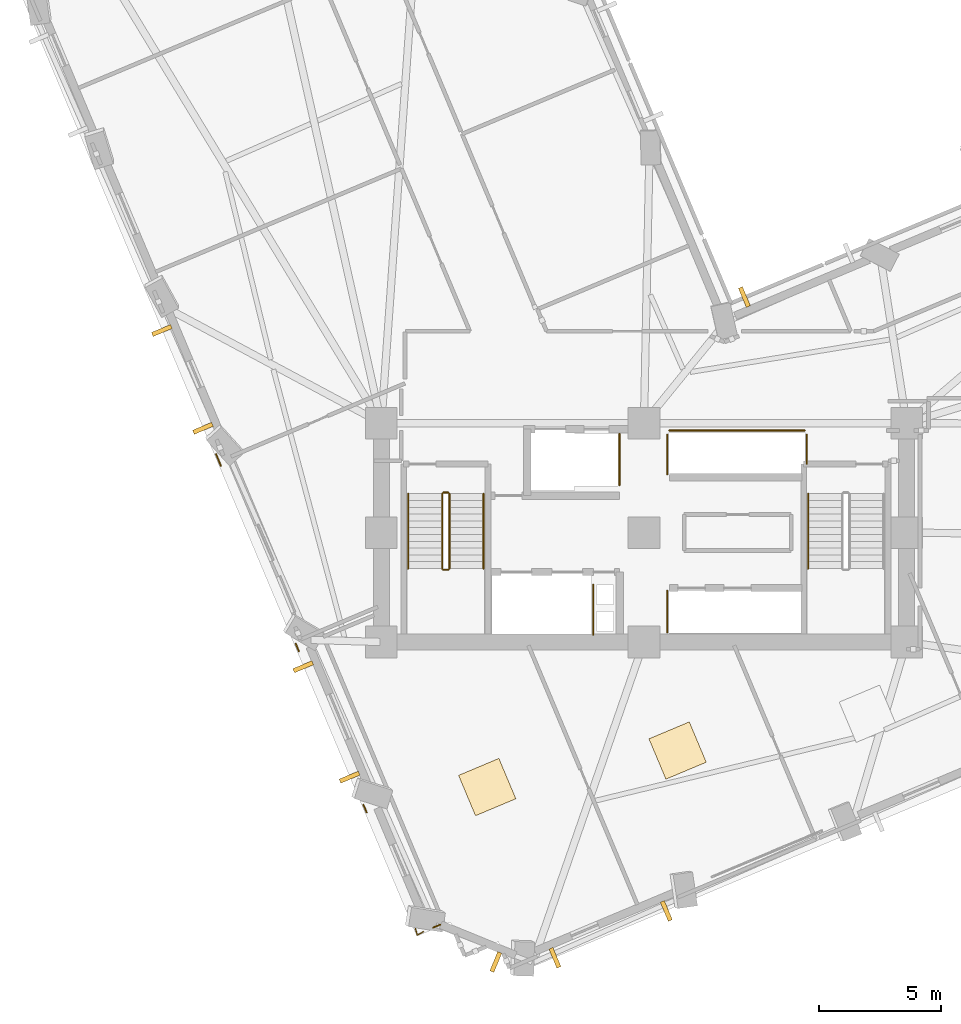
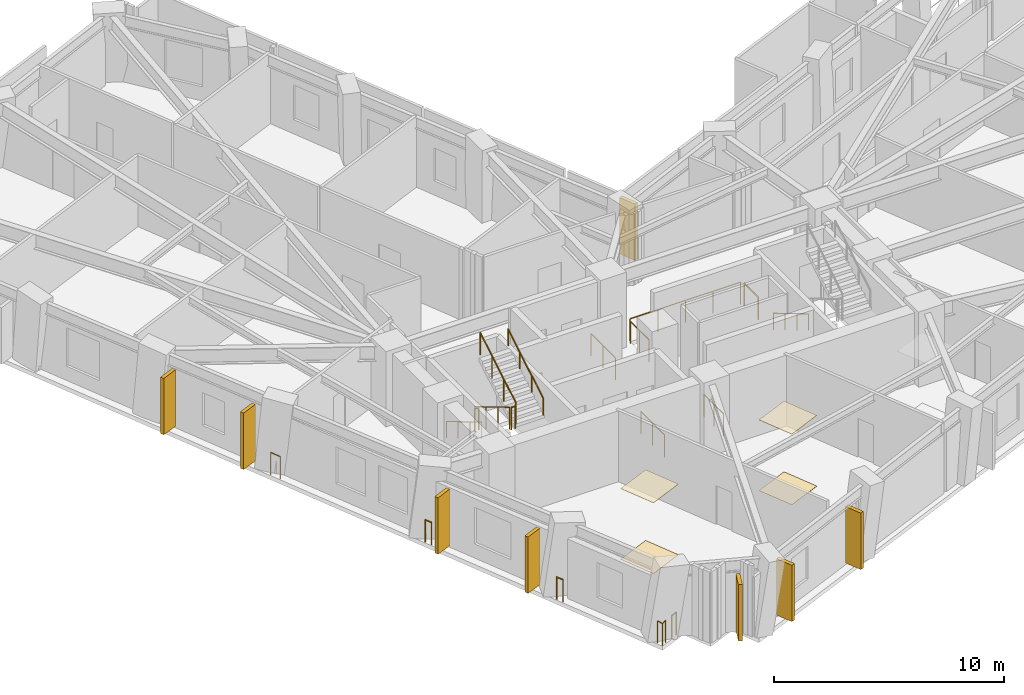
# One storey, part 15 of 18: 18 railings, 8 shading devices, 4 coverings.
"""IFC4 building model written with IfcOpenShell, lengths in metres."""

from ifc_helpers import new_model, si_unit, direction, frame, origin, origin_2d, place, context, subcontext, project, spatial, rectangle, circle, extrude, material, layer, layer_set, type_object, element, save


model = new_model("IFC4")

# Units and contexts
model_context = context("Model", 3, precision=1e-05, world=origin(), true_north=direction((0.0, 1.0)))
body_context = subcontext(model_context, "Body", "Model", "MODEL_VIEW")
ifc_project = project(units=[si_unit("LENGTHUNIT", "METRE"), si_unit("AREAUNIT", "SQUARE_METRE"), si_unit("VOLUMEUNIT", "CUBIC_METRE"), si_unit("PLANEANGLEUNIT", "RADIAN"), si_unit("MASSUNIT", "GRAM", prefix="KILO")], contexts=[model_context])

# Site, building, storey
site_placement = place(None, origin())
site = spatial("IfcSite", under=ifc_project, at=site_placement, CompositionType="ELEMENT")
building_placement = place(site_placement, origin())
building = spatial("IfcBuilding", under=site, at=building_placement, Name="Gaonmaruhae Medical Tower", CompositionType="ELEMENT")
storey_placement = place(building_placement, frame((0.0, 0.0, 120.39990234375)))
storey = spatial("IfcBuildingStorey", under=building, at=storey_placement, Name="L28", CompositionType="ELEMENT", Elevation=120.39990234375)

# Coverings
ifc_material_1 = material(Name="Acoustic mineral ceiling tile", Category="finish")
ifc_layer_1 = layer(ifc_material_1, 0.02490234375)
ifc_layer_set_1 = layer_set([ifc_layer_1], Name="Acoustic mineral ceiling tile")
covering_type_1 = type_object("IfcCoveringType", Name="CLG-01 Antimicrobial Acoustic Mineral Ceiling", PredefinedType="CEILING", material=ifc_layer_set_1)
for number, where, z_axis, x_axis, name in (
    (1, (18.353515625, 1.833251953125, 3.755126953125), (0.0, 0.0, 1.0), (0.921863151589, 0.387515586452, 0.0), "L28 Clinical Room Acoustic Ceiling 2"),
    (2, (26.18310546875, 3.3359375, 3.755126953125), (0.0, 0.0, 1.0), (0.921863151589, 0.387515586452, 0.0), "L28 Clinical Room Acoustic Ceiling 3"),
):
    element("IfcCovering", number, at=place(storey_placement, frame(where, z_axis=z_axis, x_axis=x_axis)), inside=storey, type_object=covering_type_1, Name=name, PredefinedType="CEILING", context=body_context, shape_type="SweptSolid", body=[
        extrude(rectangle(XDim=1.800048828125, YDim=1.800048828125, at=origin_2d()), origin(), (0.0, 0.0, 1.0), 0.02490234375),
    ])
ifc_material_2 = material(Name="Seamless clinical vinyl flooring", Category="finish")
ifc_layer_2 = layer(ifc_material_2, 0.014892578125)
ifc_layer_set_2 = layer_set([ifc_layer_2], Name="Seamless clinical vinyl flooring")
covering_type_2 = type_object("IfcCoveringType", Name="FLR-01 Seamless Clinical Antistatic Vinyl Flooring", PredefinedType="FLOORING", material=ifc_layer_set_2)
for number, where, z_axis, x_axis, name in (
    (3, (18.353515625, 1.833251953125, 0.0), (0.0, 0.0, 1.0), (0.921863151589, 0.387515586452, 0.0), "L28 Clinical Room Vinyl Flooring 2"),
    (4, (26.18310546875, 3.3359375, 0.0), (0.0, 0.0, 1.0), (0.921863151589, 0.387515586452, 0.0), "L28 Clinical Room Vinyl Flooring 3"),
):
    element("IfcCovering", number, at=place(storey_placement, frame(where, z_axis=z_axis, x_axis=x_axis)), inside=storey, type_object=covering_type_2, Name=name, PredefinedType="FLOORING", context=body_context, shape_type="SweptSolid", body=[
        extrude(rectangle(XDim=1.800048828125, YDim=1.800048828125, at=origin_2d()), origin(), (0.0, 0.0, 1.0), 0.014892578125),
    ])

# Railings
ifc_material_3 = material(Name="Stainless steel 316L and laminated safety glass", Category="steel")
ifc_layer_3 = layer(ifc_material_3, 0.080078125)
ifc_layer_set_3 = layer_set([ifc_layer_3], Name="Stainless steel 316L and laminated safety glass")
railing_type_1 = type_object("IfcRailingType", Name="GD-120 Outdoor Terrace Safety Glass & Steel Balustrade", PredefinedType="BALUSTRADE", material=ifc_layer_set_3)
railing_1_placement = place(storey_placement, frame((16.42919921875, -3.8203125, 0.0)))
element("IfcRailing", 5, at=railing_1_placement, inside=storey, type_object=railing_type_1, Name="L28 Perimeter Slab Edge Safety Balustrade 04", PredefinedType="BALUSTRADE", context=body_context, shape_type="SweptSolid", body=[
    extrude(circle(Radius=0.02392578125, at=origin_2d()), frame((0.0, 0.0, 1.17578125), z_axis=(-0.921789973524, -0.387689624197, 0.0), x_axis=(0.387689624197, -0.921789973524, 0.0)), (0.0, 0.0, 1.0), 0.326904296875),
    extrude(circle(Radius=0.02099609375, at=origin_2d()), origin(), (0.0, 0.0, 1.0), 1.15185546875),
    extrude(circle(Radius=0.02099609375, at=origin_2d()), frame((-0.30126953125, -0.126708984375, 0.0)), (0.0, 0.0, 1.0), 1.15185546875),
])
railing_2_placement = place(storey_placement, frame((13.395751953125, 0.789306640625, 0.0)))
element("IfcRailing", 6, at=railing_2_placement, inside=storey, type_object=railing_type_1, Name="L28 Perimeter Slab Edge Safety Balustrade 05", PredefinedType="BALUSTRADE", context=body_context, shape_type="SweptSolid", body=[
    extrude(circle(Radius=0.02392578125, at=origin_2d()), frame((0.0, 0.0, 1.17578125), z_axis=(-0.387317999587, 0.921946184545, 0.0), x_axis=(-0.921946184545, -0.387317999587, 0.0)), (0.0, 0.0, 1.0), 0.33984375),
    extrude(circle(Radius=0.02099609375, at=origin_2d()), origin(), (0.0, 0.0, 1.0), 1.15185546875),
    extrude(circle(Radius=0.02099609375, at=origin_2d()), frame((-0.131591796875, 0.313232421875, 0.0)), (0.0, 0.0, 1.0), 1.15185546875),
])
railing_3_placement = place(storey_placement, frame((10.6083984375, 7.42041015625, 0.0)))
element("IfcRailing", 7, at=railing_3_placement, inside=storey, type_object=railing_type_1, Name="L28 Perimeter Slab Edge Safety Balustrade 06", PredefinedType="BALUSTRADE", context=body_context, shape_type="SweptSolid", body=[
    extrude(circle(Radius=0.02392578125, at=origin_2d()), frame((0.0, 0.0, 1.17578125), z_axis=(-0.38767182815, 0.921797458045, 0.0), x_axis=(-0.921797458045, -0.38767182815, 0.0)), (0.0, 0.0, 1.0), 0.340087890625),
    extrude(circle(Radius=0.02099609375, at=origin_2d()), origin(), (0.0, 0.0, 1.0), 1.15185546875),
    extrude(circle(Radius=0.02099609375, at=origin_2d()), frame((-0.1318359375, 0.3134765625, 0.0)), (0.0, 0.0, 1.0), 1.15185546875),
])
railing_4_placement = place(storey_placement, frame((7.402587890625, 15.04638671875, 0.0)))
element("IfcRailing", 8, at=railing_4_placement, inside=storey, type_object=railing_type_1, Name="L28 Perimeter Slab Edge Safety Balustrade 07", PredefinedType="BALUSTRADE", context=body_context, shape_type="SweptSolid", body=[
    extrude(circle(Radius=0.02392578125, at=origin_2d()), frame((0.0, 0.0, 1.17578125), z_axis=(-0.387216505958, 0.921988816371, 0.0), x_axis=(-0.921988816371, -0.387216505958, 0.0)), (0.0, 0.0, 1.0), 0.51953125),
    extrude(circle(Radius=0.02099609375, at=origin_2d()), origin(), (0.0, 0.0, 1.0), 1.15185546875),
    extrude(circle(Radius=0.02099609375, at=origin_2d()), frame((-0.201171875, 0.47900390625, 0.0)), (0.0, 0.0, 1.0), 1.15185546875),
])
railing_5_placement = place(storey_placement, frame((15.728515625, -4.11474609375, 0.0)))
element("IfcRailing", 9, at=railing_5_placement, inside=storey, type_object=railing_type_1, Name="L28 Perimeter Corner Safety Balustrade 09", PredefinedType="BALUSTRADE", context=body_context, shape_type="SweptSolid", body=[
    extrude(circle(Radius=0.02392578125, at=origin_2d()), frame((0.0, 0.0, 1.17578125), z_axis=(-0.867667295011, -0.497145315947, 0.0), x_axis=(0.497145315947, -0.867667295011, 0.0)), (0.0, 0.0, 1.0), 0.287353515625),
    extrude(circle(Radius=0.02392578125, at=origin_2d()), frame((-0.249267578125, -0.142822265625, 1.17578125), z_axis=(-0.272025457334, 0.962290055317, 0.0), x_axis=(-0.962290055317, -0.272025457334, 0.0)), (0.0, 0.0, 1.0), 0.287109375),
    extrude(circle(Radius=0.02099609375, at=origin_2d()), origin(), (0.0, 0.0, 1.0), 1.15185546875),
    extrude(circle(Radius=0.02099609375, at=origin_2d()), frame((-0.249267578125, -0.142822265625, 0.0)), (0.0, 0.0, 1.0), 1.15185546875),
    extrude(circle(Radius=0.02099609375, at=origin_2d()), frame((-0.327392578125, 0.133544921875, 0.0)), (0.0, 0.0, 1.0), 1.15185546875),
])
ifc_material_4 = material(Name="Stainless steel 304 handrail", Category="steel")
railing_type_2 = type_object("IfcRailingType", Name="HR-092 Continuous Stainless Steel Stair Handrail", PredefinedType="HANDRAIL", material=ifc_material_4)
railing_6_placement = place(storey_placement, frame((15.10009765625, 13.89990234375, 0.166748046875)))
element("IfcRailing", 10, at=railing_6_placement, inside=storey, type_object=railing_type_2, Name="L28 ST-01 stair handrail 1", PredefinedType="HANDRAIL", context=body_context, shape_type="SweptSolid", body=[
    extrude(circle(Radius=0.02392578125, at=origin_2d()), frame((0.0, 0.0, 0.8759765625), z_axis=(0.0, -0.859290745958, 0.51148745235), x_axis=(1.0, 0.0, 0.0)), (0.0, 0.0, 1.0), 3.584228515625),
    extrude(circle(Radius=0.02099609375, at=origin_2d()), origin(), (0.0, 0.0, 1.0), 0.851806640625),
    extrude(circle(Radius=0.02099609375, at=origin_2d()), frame((0.0, -1.026611328125, 0.611083984375)), (0.0, 0.0, 1.0), 0.851806640625),
    extrude(circle(Radius=0.02099609375, at=origin_2d()), frame((0.0, -2.05322265625, 1.22216796875)), (0.0, 0.0, 1.0), 0.851806640625),
    extrude(circle(Radius=0.02099609375, at=origin_2d()), frame((0.0, -3.079833984375, 1.833251953125)), (0.0, 0.0, 1.0), 0.851806640625),
])
railing_7_placement = place(storey_placement, frame((18.199951171875, 10.820068359375, 2.166748046875)))
element("IfcRailing", 11, at=railing_7_placement, inside=storey, type_object=railing_type_2, Name="L28 ST-01 stair handrail 2", PredefinedType="HANDRAIL", context=body_context, shape_type="SweptSolid", body=[
    extrude(circle(Radius=0.02392578125, at=origin_2d()), frame((0.0, 0.0, 0.8759765625), z_axis=(0.0, 0.859290745958, 0.51148745235), x_axis=(-1.0, 0.0, 0.0)), (0.0, 0.0, 1.0), 3.584228515625),
    extrude(circle(Radius=0.02099609375, at=origin_2d()), origin(), (0.0, 0.0, 1.0), 0.851806640625),
    extrude(circle(Radius=0.02099609375, at=origin_2d()), frame((0.0, 1.026611328125, 0.611083984375)), (0.0, 0.0, 1.0), 0.851806640625),
    extrude(circle(Radius=0.02099609375, at=origin_2d()), frame((0.0, 2.05322265625, 1.22216796875)), (0.0, 0.0, 1.0), 0.851806640625),
    extrude(circle(Radius=0.02099609375, at=origin_2d()), frame((0.0, 3.079833984375, 1.833251953125)), (0.0, 0.0, 1.0), 0.851806640625),
])
railing_8_placement = place(storey_placement, frame((31.550048828125, 13.89990234375, 0.166748046875)))
element("IfcRailing", 12, at=railing_8_placement, inside=storey, type_object=railing_type_2, Name="L28 ST-02 stair handrail 1", PredefinedType="HANDRAIL", context=body_context, shape_type="SweptSolid", body=[
    extrude(circle(Radius=0.02392578125, at=origin_2d()), frame((0.0, 0.0, 0.8759765625), z_axis=(0.0, -0.859290745958, 0.51148745235), x_axis=(1.0, 0.0, 0.0)), (0.0, 0.0, 1.0), 3.584228515625),
    extrude(circle(Radius=0.02099609375, at=origin_2d()), origin(), (0.0, 0.0, 1.0), 0.851806640625),
    extrude(circle(Radius=0.02099609375, at=origin_2d()), frame((0.0, -1.026611328125, 0.611083984375)), (0.0, 0.0, 1.0), 0.851806640625),
    extrude(circle(Radius=0.02099609375, at=origin_2d()), frame((0.0, -2.05322265625, 1.22216796875)), (0.0, 0.0, 1.0), 0.851806640625),
    extrude(circle(Radius=0.02099609375, at=origin_2d()), frame((0.0, -3.079833984375, 1.833251953125)), (0.0, 0.0, 1.0), 0.851806640625),
])

# Shading devices
ifc_material_5 = material(Name="Pigmented coral precast concrete C45/55", Category="concrete")
shading_device_type = type_object("IfcShadingDeviceType", Name="SD-FIN1 Tower Vertical Coral Precast Shading Fin", PredefinedType="USERDEFINED", material=ifc_material_5)
for number, where, z_axis, x_axis, name in (
    (13, (25.718505859375, -3.26171875, 0.08251953125), (0.0, 0.0, 1.0), (-0.921856388025, -0.38753167594, 0.0), "L28 Vertical Coral Precast Shading Fin S01"),
    (14, (21.136962890625, -5.18798828125, 0.08251953125), (0.0, 0.0, 1.0), (-0.921856388025, -0.38753167594, 0.0), "L28 Vertical Coral Precast Shading Fin S01B"),
    (15, (28.9306640625, 21.985595703125, 0.08251953125), (0.0, 0.0, 1.0), (0.921863151589, 0.387515586452, 0.0), "L28 Vertical Coral Precast Shading Fin EN03"),
    (16, (6.66259765625, 16.587890625, 0.08251953125), (0.0, 0.0, 1.0), (-0.387515586452, 0.921863151589, 0.0), "L28 Vertical Coral Precast Shading Fin W03"),
    (17, (4.971923828125, 20.609130859375, 0.08251953125), (0.0, 0.0, 1.0), (-0.387515586452, 0.921863151589, 0.0), "L28 Vertical Coral Precast Shading Fin W03B"),
    (18, (12.693115234375, 2.24169921875, 0.08251953125), (0.0, 0.0, 1.0), (-0.387515586452, 0.921863151589, 0.0), "L28 Vertical Coral Precast Shading Fin W05"),
    (19, (10.78515625, 6.780517578125, 0.08251953125), (0.0, 0.0, 1.0), (-0.387515586452, 0.921863151589, 0.0), "L28 Vertical Coral Precast Shading Fin W05B"),
    (20, (18.70751953125, -5.360107421875, 0.08251953125), (0.0, 0.0, 1.0), (-0.92587058481, 0.377840786818, 0.0), "L28 Vertical Coral Precast Shading Fin W07"),
):
    element("IfcShadingDevice", number, at=place(storey_placement, frame(where, z_axis=z_axis, x_axis=x_axis)), inside=storey, type_object=shading_device_type, Name=name, ObjectType="FIN", PredefinedType="USERDEFINED", context=body_context, shape_type="SweptSolid", body=[
        extrude(rectangle(XDim=0.179931640625, YDim=0.85009765625, at=origin_2d()), origin(), (0.0, 0.0, 1.0), 3.0),
    ])

# Railings
ifc_material_6 = material(Name="Stainless steel 304 balustrade", Category="steel")
railing_type_3 = type_object("IfcRailingType", Name="SG-112 Stair Well & Ramp Void Safety Balustrade", PredefinedType="BALUSTRADE", material=ifc_material_6)
railing_9_placement = place(storey_placement, frame((16.5, 13.89990234375, 0.166748046875)))
element("IfcRailing", 21, at=railing_9_placement, inside=storey, type_object=railing_type_3, Name="L28 ST-01 stair guard 1", PredefinedType="BALUSTRADE", context=body_context, shape_type="SweptSolid", body=[
    extrude(circle(Radius=0.02392578125, at=origin_2d()), frame((0.0, 0.0, 1.17578125), z_axis=(0.0, -0.859290745958, 0.51148745235), x_axis=(1.0, 0.0, 0.0)), (0.0, 0.0, 1.0), 3.584228515625),
    extrude(circle(Radius=0.02099609375, at=origin_2d()), origin(), (0.0, 0.0, 1.0), 1.15185546875),
    extrude(circle(Radius=0.02099609375, at=origin_2d()), frame((0.0, -1.026611328125, 0.611083984375)), (0.0, 0.0, 1.0), 1.15185546875),
    extrude(circle(Radius=0.02099609375, at=origin_2d()), frame((0.0, -2.05322265625, 1.22216796875)), (0.0, 0.0, 1.0), 1.15185546875),
    extrude(circle(Radius=0.02099609375, at=origin_2d()), frame((0.0, -3.079833984375, 1.833251953125)), (0.0, 0.0, 1.0), 1.15185546875),
])
railing_10_placement = place(storey_placement, frame((16.550048828125, 10.77001953125, 2.0)))
element("IfcRailing", 22, at=railing_10_placement, inside=storey, type_object=railing_type_3, Name="L28 ST-01 stair guard 2", PredefinedType="BALUSTRADE", context=body_context, shape_type="SweptSolid", body=[
    extrude(circle(Radius=0.02392578125, at=origin_2d()), frame((0.0, 0.0, 1.17578125), z_axis=(1.0, 0.0, 0.0), x_axis=(0.0, 1.0, 0.0)), (0.0, 0.0, 1.0), 0.199951171875),
    extrude(circle(Radius=0.02099609375, at=origin_2d()), origin(), (0.0, 0.0, 1.0), 1.15185546875),
    extrude(circle(Radius=0.02099609375, at=origin_2d()), frame((0.199951171875, 0.0, 0.0)), (0.0, 0.0, 1.0), 1.15185546875),
])
railing_11_placement = place(storey_placement, frame((16.800048828125, 10.820068359375, 2.166748046875)))
element("IfcRailing", 23, at=railing_11_placement, inside=storey, type_object=railing_type_3, Name="L28 ST-01 stair guard 3", PredefinedType="BALUSTRADE", context=body_context, shape_type="SweptSolid", body=[
    extrude(circle(Radius=0.02392578125, at=origin_2d()), frame((0.0, 0.0, 1.17578125), z_axis=(0.0, 0.859290745958, 0.51148745235), x_axis=(-1.0, 0.0, 0.0)), (0.0, 0.0, 1.0), 3.584228515625),
    extrude(circle(Radius=0.02099609375, at=origin_2d()), origin(), (0.0, 0.0, 1.0), 1.15185546875),
    extrude(circle(Radius=0.02099609375, at=origin_2d()), frame((0.0, 1.026611328125, 0.611083984375)), (0.0, 0.0, 1.0), 1.15185546875),
    extrude(circle(Radius=0.02099609375, at=origin_2d()), frame((0.0, 2.05322265625, 1.22216796875)), (0.0, 0.0, 1.0), 1.15185546875),
    extrude(circle(Radius=0.02099609375, at=origin_2d()), frame((0.0, 3.079833984375, 1.833251953125)), (0.0, 0.0, 1.0), 1.15185546875),
])
railing_12_placement = place(storey_placement, frame((16.550048828125, 13.949951171875, 0.0)))
element("IfcRailing", 24, at=railing_12_placement, inside=storey, type_object=railing_type_3, Name="L28 ST-01 stair guard 4", PredefinedType="BALUSTRADE", context=body_context, shape_type="SweptSolid", body=[
    extrude(circle(Radius=0.02392578125, at=origin_2d()), frame((0.0, 0.0, 1.17578125), z_axis=(1.0, 0.0, 0.0), x_axis=(0.0, 1.0, 0.0)), (0.0, 0.0, 1.0), 0.199951171875),
    extrude(circle(Radius=0.02099609375, at=origin_2d()), origin(), (0.0, 0.0, 1.0), 1.15185546875),
    extrude(circle(Radius=0.02099609375, at=origin_2d()), frame((0.199951171875, 0.0, 0.0)), (0.0, 0.0, 1.0), 1.15185546875),
])
railing_13_placement = place(storey_placement, frame((25.7548828125, 8.195068359375, 0.0)))
element("IfcRailing", 25, at=railing_13_placement, inside=storey, type_object=railing_type_3, Name="L28 Shaft Edge Safety Guard 11", PredefinedType="BALUSTRADE", context=body_context, shape_type="SweptSolid", body=[
    extrude(circle(Radius=0.02392578125, at=origin_2d()), frame((0.0, 0.0, 1.17578125), z_axis=(0.0, 1.0, 0.0), x_axis=(-1.0, 0.0, 0.0)), (0.0, 0.0, 1.0), 1.7099609375),
    extrude(circle(Radius=0.02099609375, at=origin_2d()), origin(), (0.0, 0.0, 1.0), 1.15185546875),
    extrude(circle(Radius=0.02099609375, at=origin_2d()), frame((0.0, 0.85498046875, 0.0)), (0.0, 0.0, 1.0), 1.15185546875),
    extrude(circle(Radius=0.02099609375, at=origin_2d()), frame((0.0, 1.7099609375, 0.0)), (0.0, 0.0, 1.0), 1.15185546875),
])
railing_14_placement = place(storey_placement, frame((22.719970703125, 10.159912109375, 0.0)))
element("IfcRailing", 26, at=railing_14_placement, inside=storey, type_object=railing_type_3, Name="L28 Shaft Edge Safety Guard 12", PredefinedType="BALUSTRADE", context=body_context, shape_type="SweptSolid", body=[
    extrude(circle(Radius=0.02392578125, at=origin_2d()), frame((0.0, 0.0, 1.17578125), z_axis=(0.0, -1.0, 0.0), x_axis=(1.0, 0.0, 0.0)), (0.0, 0.0, 1.0), 2.06494140625),
    extrude(circle(Radius=0.02099609375, at=origin_2d()), origin(), (0.0, 0.0, 1.0), 1.15185546875),
    extrude(circle(Radius=0.02099609375, at=origin_2d()), frame((0.0, -1.032470703125, 0.0)), (0.0, 0.0, 1.0), 1.15185546875),
    extrude(circle(Radius=0.02099609375, at=origin_2d()), frame((0.0, -2.06494140625, 0.0)), (0.0, 0.0, 1.0), 1.15185546875),
])
railing_15_placement = place(storey_placement, frame((23.794921875, 16.35498046875, 0.0)))
element("IfcRailing", 27, at=railing_15_placement, inside=storey, type_object=railing_type_3, Name="L28 Shaft Edge Safety Guard 13", PredefinedType="BALUSTRADE", context=body_context, shape_type="SweptSolid", body=[
    extrude(circle(Radius=0.02392578125, at=origin_2d()), frame((0.0, 0.0, 1.17578125), z_axis=(0.0, -1.0, 0.0), x_axis=(1.0, 0.0, 0.0)), (0.0, 0.0, 1.0), 2.10986328125),
    extrude(circle(Radius=0.02099609375, at=origin_2d()), origin(), (0.0, 0.0, 1.0), 1.15185546875),
    extrude(circle(Radius=0.02099609375, at=origin_2d()), frame((0.0, -1.054931640625, 0.0)), (0.0, 0.0, 1.0), 1.15185546875),
    extrude(circle(Radius=0.02099609375, at=origin_2d()), frame((0.0, -2.10986328125, 0.0)), (0.0, 0.0, 1.0), 1.15185546875),
])
railing_16_placement = place(storey_placement, frame((25.844970703125, 16.4951171875, 0.0)))
element("IfcRailing", 28, at=railing_16_placement, inside=storey, type_object=railing_type_3, Name="L28 Shaft Edge Safety Guard 14", PredefinedType="BALUSTRADE", context=body_context, shape_type="SweptSolid", body=[
    extrude(circle(Radius=0.02392578125, at=origin_2d()), frame((0.0, 0.0, 1.17578125), z_axis=(1.0, 0.0, 0.0), x_axis=(0.0, 1.0, 0.0)), (0.0, 0.0, 1.0), 5.56005859375),
    extrude(circle(Radius=0.02099609375, at=origin_2d()), origin(), (0.0, 0.0, 1.0), 1.15185546875),
    extrude(circle(Radius=0.02099609375, at=origin_2d()), frame((1.39013671875, 0.0, 0.0)), (0.0, 0.0, 1.0), 1.15185546875),
    extrude(circle(Radius=0.02099609375, at=origin_2d()), frame((2.780029296875, 0.0, 0.0)), (0.0, 0.0, 1.0), 1.15185546875),
    extrude(circle(Radius=0.02099609375, at=origin_2d()), frame((4.169921875, 0.0, 0.0)), (0.0, 0.0, 1.0), 1.15185546875),
    extrude(circle(Radius=0.02099609375, at=origin_2d()), frame((5.56005859375, 0.0, 0.0)), (0.0, 0.0, 1.0), 1.15185546875),
])
railing_17_placement = place(storey_placement, frame((31.4951171875, 16.330078125, 0.0)))
element("IfcRailing", 29, at=railing_17_placement, inside=storey, type_object=railing_type_3, Name="L28 Shaft Edge Safety Guard 15", PredefinedType="BALUSTRADE", context=body_context, shape_type="SweptSolid", body=[
    extrude(circle(Radius=0.02392578125, at=origin_2d()), frame((0.0, 0.0, 1.17578125), z_axis=(0.0, -1.0, 0.0), x_axis=(1.0, 0.0, 0.0)), (0.0, 0.0, 1.0), 1.2099609375),
    extrude(circle(Radius=0.02099609375, at=origin_2d()), origin(), (0.0, 0.0, 1.0), 1.15185546875),
    extrude(circle(Radius=0.02099609375, at=origin_2d()), frame((0.0, -1.2099609375, 0.0)), (0.0, 0.0, 1.0), 1.15185546875),
])
railing_18_placement = place(storey_placement, frame((25.7548828125, 14.695068359375, 0.0)))
element("IfcRailing", 30, at=railing_18_placement, inside=storey, type_object=railing_type_3, Name="L28 Shaft Edge Safety Guard 16", PredefinedType="BALUSTRADE", context=body_context, shape_type="SweptSolid", body=[
    extrude(circle(Radius=0.02392578125, at=origin_2d()), frame((0.0, 0.0, 1.17578125), z_axis=(0.0, 1.0, 0.0), x_axis=(-1.0, 0.0, 0.0)), (0.0, 0.0, 1.0), 1.635009765625),
    extrude(circle(Radius=0.02099609375, at=origin_2d()), origin(), (0.0, 0.0, 1.0), 1.15185546875),
    extrude(circle(Radius=0.02099609375, at=origin_2d()), frame((0.0, 0.8173828125, 0.0)), (0.0, 0.0, 1.0), 1.15185546875),
    extrude(circle(Radius=0.02099609375, at=origin_2d()), frame((0.0, 1.635009765625, 0.0)), (0.0, 0.0, 1.0), 1.15185546875),
])

save(model, "model.ifc")
